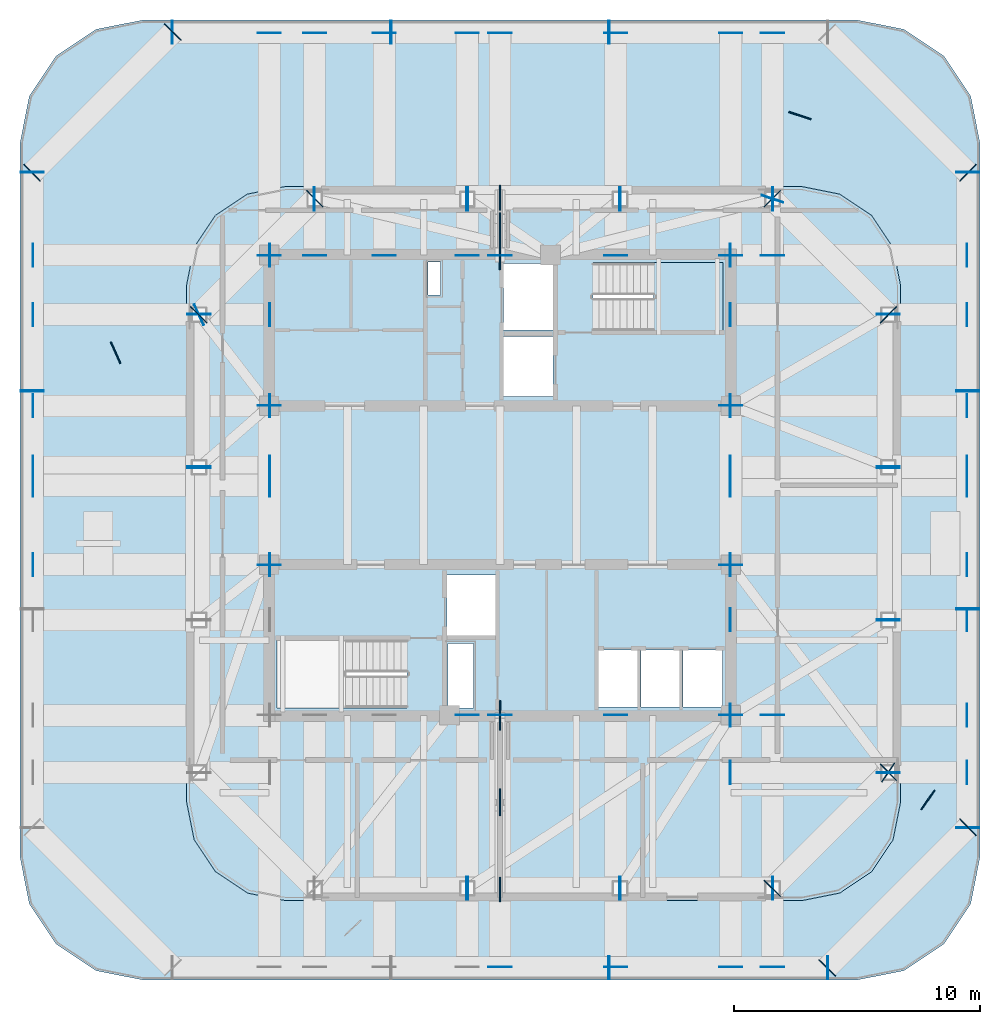
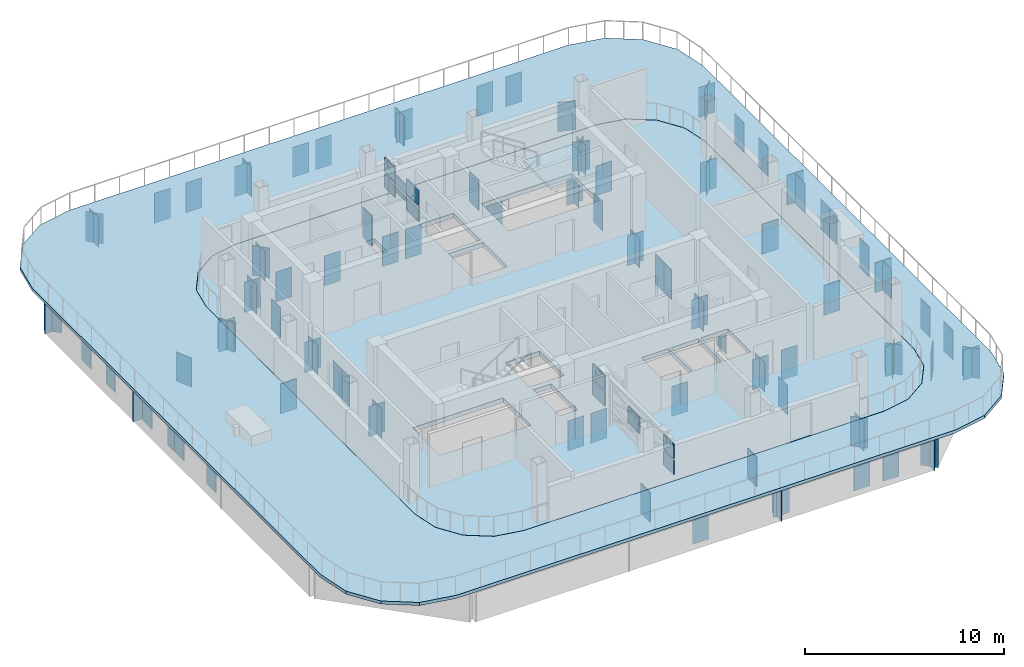
# One storey, part 3 of 10: 123 plates, 3 slabs, 1 element without a shape of its own.
"""IFC4 building model written with IfcOpenShell, lengths in metres."""

from ifc_helpers import new_model, si_unit, direction, frame, origin, origin_2d, place, context, subcontext, project, spatial, polyline, rectangle, outline, extrude, material, layer, layer_set, type_object, element, aggregate, save


model = new_model("IFC4")

# Units and contexts
model_context = context("Model", 3, precision=1e-05, world=origin(), true_north=direction((0.0, 1.0)))
body_context = subcontext(model_context, "Body", "Model", "MODEL_VIEW")
ifc_project = project(units=[si_unit("LENGTHUNIT", "METRE"), si_unit("AREAUNIT", "SQUARE_METRE"), si_unit("VOLUMEUNIT", "CUBIC_METRE"), si_unit("PLANEANGLEUNIT", "RADIAN"), si_unit("MASSUNIT", "GRAM", prefix="KILO")], contexts=[model_context])

# Site, building, storey
site_placement = place(None, origin())
site = spatial("IfcSite", under=ifc_project, at=site_placement, CompositionType="ELEMENT")
building_placement = place(site_placement, origin())
building = spatial("IfcBuilding", under=site, at=building_placement, Name="Qhalaya Broadcast Tower", CompositionType="ELEMENT")
storey_placement = place(building_placement, frame((0.0, 0.0, 231.300048828125)))
storey = spatial("IfcBuildingStorey", under=building, at=storey_placement, Name="L68", CompositionType="ELEMENT", Elevation=231.300048828125)

# Plates
ifc_material_1 = material(Name="Structural Steel ASTM A572 Grade 50", Category="steel")
ifc_layer_1 = layer(ifc_material_1, 0.4599609375, Name="Structural Steel ASTM A572 Grade 50")
ifc_layer_set_1 = layer_set([ifc_layer_1], Name="Structural Steel ASTM A572 Grade 50")
plate_type_1 = type_object("IfcPlateType", Name="Hollow Box Member End Cap Plate CP-01", PredefinedType="USERDEFINED", material=ifc_layer_set_1)
for number, where, z_axis, x_axis, name in (
    (1, (-1.31396484375, -15.77001953125, -2.10009765625), (0.0, 0.0, 1.0), (0.0, 1.0, 0.0), "L68 Hollow Girder End Cap L68-SPR-01-B"),
    (2, (-1.345947265625, -15.77001953125, -2.10009765625), (0.0, 0.0, 1.0), (0.0, 1.0, 0.0), "L68 Hollow Girder End Cap L68-SPR-02-A"),
    (3, (4.885986328125, -15.77001953125, -2.10009765625), (0.0, 0.0, 1.0), (0.0, 1.0, 0.0), "L68 Hollow Girder End Cap L68-SPR-02-B"),
    (4, (4.85400390625, -15.77001953125, -2.10009765625), (0.0, 0.0, 1.0), (0.0, 1.0, 0.0), "L68 Hollow Girder End Cap L68-SPR-03-A"),
    (5, (11.0859375, -15.77001953125, -2.10009765625), (0.0, 0.0, 1.0), (0.0, 1.0, 0.0), "L68 Hollow Girder End Cap L68-SPR-03-B"),
    (6, (11.05859375, -15.78125, -2.10009765625), (0.0, 0.0, 1.0), (-0.707106781187, 0.707106781187, 0.0), "L68 Hollow Girder End Cap L68-SPR-04-A"),
    (7, (15.78125, -11.05859375, -2.10009765625), (0.0, 0.0, 1.0), (-0.707106781187, 0.707106781187, 0.0), "L68 Hollow Girder End Cap L68-SPR-04-B"),
    (8, (15.77001953125, -11.0859375, -2.10009765625), (0.0, 0.0, 1.0), (-1.0, 0.0, 0.0), "L68 Hollow Girder End Cap L68-SPR-05-A"),
    (9, (15.77001953125, -4.85400390625, -2.10009765625), (0.0, 0.0, 1.0), (-1.0, 0.0, 0.0), "L68 Hollow Girder End Cap L68-SPR-05-B"),
    (10, (15.77001953125, -4.885986328125, -2.10009765625), (0.0, 0.0, 1.0), (-1.0, 0.0, 0.0), "L68 Hollow Girder End Cap L68-SPR-06-A"),
    (11, (15.77001953125, 1.345947265625, -2.10009765625), (0.0, 0.0, 1.0), (-1.0, 0.0, 0.0), "L68 Hollow Girder End Cap L68-SPR-06-B"),
    (12, (15.77001953125, 1.31396484375, -2.10009765625), (0.0, 0.0, 1.0), (-1.0, 0.0, 0.0), "L68 Hollow Girder End Cap L68-SPR-07-A"),
    (13, (15.77001953125, 7.5458984375, -2.10009765625), (0.0, 0.0, 1.0), (-1.0, 0.0, 0.0), "L68 Hollow Girder End Cap L68-SPR-07-B"),
    (14, (15.78125, 7.518798828125, -2.10009765625), (0.0, 0.0, 1.0), (-0.707106781187, -0.707106781187, 0.0), "L68 Hollow Girder End Cap L68-SPR-08-A"),
    (15, (11.05859375, 12.2412109375, -2.10009765625), (0.0, 0.0, 1.0), (-0.707106781187, -0.707106781187, 0.0), "L68 Hollow Girder End Cap L68-SPR-08-B"),
    (16, (11.0859375, 12.22998046875, -2.10009765625), (0.0, 0.0, 1.0), (0.0, -1.0, 0.0), "L68 Hollow Girder End Cap L68-SPR-09-A"),
    (17, (4.85400390625, 12.22998046875, -2.10009765625), (0.0, 0.0, 1.0), (0.0, -1.0, 0.0), "L68 Hollow Girder End Cap L68-SPR-09-B"),
    (18, (4.885986328125, 12.22998046875, -2.10009765625), (0.0, 0.0, 1.0), (0.0, -1.0, 0.0), "L68 Hollow Girder End Cap L68-SPR-10-A"),
    (19, (-1.345947265625, 12.22998046875, -2.10009765625), (0.0, 0.0, 1.0), (0.0, -1.0, 0.0), "L68 Hollow Girder End Cap L68-SPR-10-B"),
    (20, (-1.31396484375, 12.22998046875, -2.10009765625), (0.0, 0.0, 1.0), (0.0, -1.0, 0.0), "L68 Hollow Girder End Cap L68-SPR-11-A"),
    (21, (-7.5458984375, 12.22998046875, -2.10009765625), (0.0, 0.0, 1.0), (0.0, -1.0, 0.0), "L68 Hollow Girder End Cap L68-SPR-11-B"),
    (22, (-7.518798828125, 12.2412109375, -2.10009765625), (0.0, 0.0, 1.0), (0.707106781187, -0.707106781187, 0.0), "L68 Hollow Girder End Cap L68-SPR-12-A"),
    (23, (-12.2412109375, 7.518798828125, -2.10009765625), (0.0, 0.0, 1.0), (0.707106781187, -0.707106781187, 0.0), "L68 Hollow Girder End Cap L68-SPR-12-B"),
    (24, (-12.22998046875, 7.5458984375, -2.10009765625), (0.0, 0.0, 1.0), (1.0, 0.0, 0.0), "L68 Hollow Girder End Cap L68-SPR-13-A"),
    (25, (-12.22998046875, 1.31396484375, -2.10009765625), (0.0, 0.0, 1.0), (1.0, 0.0, 0.0), "L68 Hollow Girder End Cap L68-SPR-13-B"),
    (26, (-12.22998046875, 1.345947265625, -2.10009765625), (0.0, 0.0, 1.0), (1.0, 0.0, 0.0), "L68 Hollow Girder End Cap L68-SPR-14-A"),
    (27, (4.44921875, -19.0, -2.10009765625), (0.0, 0.0, 1.0), (0.0, 1.0, 0.0), "L68 Hollow Girder End Cap L68-TGL-02-B"),
    (28, (4.417236328125, -19.0, -2.10009765625), (0.0, 0.0, 1.0), (0.0, 1.0, 0.0), "L68 Hollow Girder End Cap L68-TGL-03-A"),
    (29, (13.31591796875, -19.0, -2.10009765625), (0.0, 0.0, 1.0), (0.0, 1.0, 0.0), "L68 Hollow Girder End Cap L68-TGL-03-B"),
    (30, (13.288818359375, -19.01123046875, -2.10009765625), (0.0, 0.0, 1.0), (-0.707106781187, 0.707106781187, 0.0), "L68 Hollow Girder End Cap L68-TGL-04-A"),
    (31, (19.01123046875, -13.288818359375, -2.10009765625), (0.0, 0.0, 1.0), (-0.707106781187, 0.707106781187, 0.0), "L68 Hollow Girder End Cap L68-TGL-04-B"),
    (32, (19.0, -13.31591796875, -2.10009765625), (0.0, 0.0, 1.0), (-1.0, 0.0, 0.0), "L68 Hollow Girder End Cap L68-TGL-05-A"),
    (33, (19.0, -4.417236328125, -2.10009765625), (0.0, 0.0, 1.0), (-1.0, 0.0, 0.0), "L68 Hollow Girder End Cap L68-TGL-05-B"),
    (34, (19.0, -4.44921875, -2.10009765625), (0.0, 0.0, 1.0), (-1.0, 0.0, 0.0), "L68 Hollow Girder End Cap L68-TGL-06-A"),
    (35, (19.0, 4.44921875, -2.10009765625), (0.0, 0.0, 1.0), (-1.0, 0.0, 0.0), "L68 Hollow Girder End Cap L68-TGL-06-B"),
    (36, (19.0, 4.417236328125, -2.10009765625), (0.0, 0.0, 1.0), (-1.0, 0.0, 0.0), "L68 Hollow Girder End Cap L68-TGL-07-A"),
    (37, (19.0, 13.31591796875, -2.10009765625), (0.0, 0.0, 1.0), (-1.0, 0.0, 0.0), "L68 Hollow Girder End Cap L68-TGL-07-B"),
    (38, (19.01123046875, 13.288818359375, -2.10009765625), (0.0, 0.0, 1.0), (-0.707106781187, -0.707106781187, 0.0), "L68 Hollow Girder End Cap L68-TGL-08-A"),
    (39, (4.417236328125, 19.0, -2.10009765625), (0.0, 0.0, 1.0), (0.0, -1.0, 0.0), "L68 Hollow Girder End Cap L68-TGL-09-B"),
    (40, (4.44921875, 19.0, -2.10009765625), (0.0, 0.0, 1.0), (0.0, -1.0, 0.0), "L68 Hollow Girder End Cap L68-TGL-10-A"),
    (41, (-4.44921875, 19.0, -2.10009765625), (0.0, 0.0, 1.0), (0.0, -1.0, 0.0), "L68 Hollow Girder End Cap L68-TGL-10-B"),
    (42, (-4.417236328125, 19.0, -2.10009765625), (0.0, 0.0, 1.0), (0.0, -1.0, 0.0), "L68 Hollow Girder End Cap L68-TGL-11-A"),
    (43, (-13.31591796875, 19.0, -2.10009765625), (0.0, 0.0, 1.0), (0.0, -1.0, 0.0), "L68 Hollow Girder End Cap L68-TGL-11-B"),
    (44, (-13.288818359375, 19.01123046875, -2.10009765625), (0.0, 0.0, 1.0), (0.707106781187, -0.707106781187, 0.0), "L68 Hollow Girder End Cap L68-TGL-12-A"),
    (45, (-19.01123046875, 13.288818359375, -2.10009765625), (0.0, 0.0, 1.0), (0.707106781187, -0.707106781187, 0.0), "L68 Hollow Girder End Cap L68-TGL-12-B"),
    (46, (-19.0, 13.31591796875, -2.10009765625), (0.0, 0.0, 1.0), (1.0, 0.0, 0.0), "L68 Hollow Girder End Cap L68-TGL-13-A"),
    (47, (-19.0, 4.417236328125, -2.10009765625), (0.0, 0.0, 1.0), (1.0, 0.0, 0.0), "L68 Hollow Girder End Cap L68-TGL-13-B"),
    (48, (-19.0, 4.44921875, -2.10009765625), (0.0, 0.0, 1.0), (1.0, 0.0, 0.0), "L68 Hollow Girder End Cap L68-TGL-14-A"),
    (49, (-9.375, 9.93408203125, -2.10009765625), (0.0, 0.0, 1.0), (-1.0, 0.0, 0.0), "L68 Hollow Girder End Cap L68-TGINW-1-A"),
    (50, (-9.375, 18.97607421875, -2.10009765625), (0.0, 0.0, 1.0), (-1.0, 0.0, 0.0), "L68 Hollow Girder End Cap L68-TGINW-1-B"),
    (51, (9.375, 9.93408203125, -2.10009765625), (0.0, 0.0, 1.0), (-1.0, 0.0, 0.0), "L68 Hollow Girder End Cap L68-TGINE-1-A"),
    (52, (9.375, 18.97607421875, -2.10009765625), (0.0, 0.0, 1.0), (-1.0, 0.0, 0.0), "L68 Hollow Girder End Cap L68-TGINE-1-B"),
    (53, (0.0, 9.93408203125, -2.10009765625), (0.0, 0.0, 1.0), (-1.0, 0.0, 0.0), "L68 Hollow Girder End Cap L68-TGIMN-1-A"),
    (54, (0.0, 18.97607421875, -2.10009765625), (0.0, 0.0, 1.0), (-1.0, 0.0, 0.0), "L68 Hollow Girder End Cap L68-TGIMN-1-B"),
    (55, (0.0, -18.97607421875, -2.10009765625), (0.0, 0.0, 1.0), (-1.0, 0.0, 0.0), "L68 Hollow Girder End Cap L68-TGIMS-1-A"),
    (56, (0.0, -8.73388671875, -2.10009765625), (0.0, 0.0, 1.0), (-1.0, 0.0, 0.0), "L68 Hollow Girder End Cap L68-TGIMS-1-B"),
    (57, (-4.699951171875, 9.93408203125, -2.10009765625), (0.0, 0.0, 1.0), (-1.0, 0.0, 0.0), "L68 Hollow Girder End Cap L68-TGIMNW-1-A"),
    (58, (-4.699951171875, 18.97607421875, -2.10009765625), (0.0, 0.0, 1.0), (-1.0, 0.0, 0.0), "L68 Hollow Girder End Cap L68-TGIMNW-1-B"),
    (59, (4.699951171875, 9.93408203125, -2.10009765625), (0.0, 0.0, 1.0), (-1.0, 0.0, 0.0), "L68 Hollow Girder End Cap L68-TGIMNE-1-A"),
    (60, (4.699951171875, 18.97607421875, -2.10009765625), (0.0, 0.0, 1.0), (-1.0, 0.0, 0.0), "L68 Hollow Girder End Cap L68-TGIMNE-1-B"),
    (61, (4.699951171875, -18.97607421875, -2.10009765625), (0.0, 0.0, 1.0), (-1.0, 0.0, 0.0), "L68 Hollow Girder End Cap L68-TGIMSE-1-A"),
    (62, (4.699951171875, -8.73388671875, -2.10009765625), (0.0, 0.0, 1.0), (-1.0, 0.0, 0.0), "L68 Hollow Girder End Cap L68-TGIMSE-1-B"),
    (63, (-18.97607421875, 0.60009765625, -2.10009765625), (0.0, 0.0, 1.0), (0.0, 1.0, 0.0), "L68 Hollow Girder End Cap L68-TGIYW-1-A"),
    (64, (-9.35888671875, 0.60009765625, -2.10009765625), (0.0, 0.0, 1.0), (0.0, 1.0, 0.0), "L68 Hollow Girder End Cap L68-TGIYW-1-B"),
    (65, (9.35888671875, 0.60009765625, -2.10009765625), (0.0, 0.0, 1.0), (0.0, 1.0, 0.0), "L68 Hollow Girder End Cap L68-TGIYE-1-A"),
    (66, (18.97607421875, 0.60009765625, -2.10009765625), (0.0, 0.0, 1.0), (0.0, 1.0, 0.0), "L68 Hollow Girder End Cap L68-TGIYE-1-B"),
    (67, (9.375, -18.97607421875, -2.10009765625), (0.0, 0.0, 1.0), (-1.0, 0.0, 0.0), "L68 Hollow Girder End Cap L68-TGISE-1-A"),
    (68, (9.375, -8.73388671875, -2.10009765625), (0.0, 0.0, 1.0), (-1.0, 0.0, 0.0), "L68 Hollow Girder End Cap L68-TGISE-1-B"),
    (69, (-9.375, -2.64111328125, -2.10009765625), (0.0, 0.0, 1.0), (-1.0, 0.0, 0.0), "L68 Hollow Girder End Cap L68-TGIMW-1-A"),
    (70, (-9.375, 3.841064453125, -2.10009765625), (0.0, 0.0, 1.0), (-1.0, 0.0, 0.0), "L68 Hollow Girder End Cap L68-TGIMW-1-B"),
    (71, (9.375, -2.64111328125, -2.10009765625), (0.0, 0.0, 1.0), (-1.0, 0.0, 0.0), "L68 Hollow Girder End Cap L68-TGIME-1-A"),
    (72, (9.375, 3.841064453125, -2.10009765625), (0.0, 0.0, 1.0), (-1.0, 0.0, 0.0), "L68 Hollow Girder End Cap L68-TGIME-1-B"),
    (73, (9.35888671875, -8.75, -2.10009765625), (0.0, 0.0, 1.0), (0.0, 1.0, 0.0), "L68 Hollow Girder End Cap L68-TGIY1E-1-A"),
    (74, (18.97607421875, -8.75, -2.10009765625), (0.0, 0.0, 1.0), (0.0, 1.0, 0.0), "L68 Hollow Girder End Cap L68-TGIY1E-1-B"),
    (75, (-18.97607421875, -2.625, -2.10009765625), (0.0, 0.0, 1.0), (0.0, 1.0, 0.0), "L68 Hollow Girder End Cap L68-TGIY2W-1-A"),
    (76, (-9.35888671875, -2.625, -2.10009765625), (0.0, 0.0, 1.0), (0.0, 1.0, 0.0), "L68 Hollow Girder End Cap L68-TGIY2W-1-B"),
    (77, (9.35888671875, -2.625, -2.10009765625), (0.0, 0.0, 1.0), (0.0, 1.0, 0.0), "L68 Hollow Girder End Cap L68-TGIY2E-1-A"),
    (78, (18.97607421875, -2.625, -2.10009765625), (0.0, 0.0, 1.0), (0.0, 1.0, 0.0), "L68 Hollow Girder End Cap L68-TGIY2E-1-B"),
    (79, (-18.97607421875, 3.824951171875, -2.10009765625), (0.0, 0.0, 1.0), (0.0, 1.0, 0.0), "L68 Hollow Girder End Cap L68-TGIY3W-1-A"),
    (80, (-9.35888671875, 3.824951171875, -2.10009765625), (0.0, 0.0, 1.0), (0.0, 1.0, 0.0), "L68 Hollow Girder End Cap L68-TGIY3W-1-B"),
    (81, (9.35888671875, 3.824951171875, -2.10009765625), (0.0, 0.0, 1.0), (0.0, 1.0, 0.0), "L68 Hollow Girder End Cap L68-TGIY3E-1-A"),
    (82, (18.97607421875, 3.824951171875, -2.10009765625), (0.0, 0.0, 1.0), (0.0, 1.0, 0.0), "L68 Hollow Girder End Cap L68-TGIY3E-1-B"),
    (83, (-18.97607421875, 9.949951171875, -2.10009765625), (0.0, 0.0, 1.0), (0.0, 1.0, 0.0), "L68 Hollow Girder End Cap L68-TGIY4W-1-A"),
    (84, (-9.35888671875, 9.949951171875, -2.10009765625), (0.0, 0.0, 1.0), (0.0, 1.0, 0.0), "L68 Hollow Girder End Cap L68-TGIY4W-1-B"),
    (85, (9.35888671875, 9.949951171875, -2.10009765625), (0.0, 0.0, 1.0), (0.0, 1.0, 0.0), "L68 Hollow Girder End Cap L68-TGIY4E-1-A"),
    (86, (18.97607421875, 9.949951171875, -2.10009765625), (0.0, 0.0, 1.0), (0.0, 1.0, 0.0), "L68 Hollow Girder End Cap L68-TGIY4E-1-B"),
    (87, (-1.330078125, -8.73388671875, -2.10009765625), (0.0, 0.0, 1.0), (-1.0, 0.0, 0.0), "L68 Hollow Girder End Cap L68-TGC-02-B"),
    (88, (11.070068359375, -18.97607421875, -2.10009765625), (0.0, 0.0, 1.0), (-1.0, 0.0, 0.0), "L68 Hollow Girder End Cap L68-TGC-04-A"),
    (89, (11.070068359375, -8.73388671875, -2.10009765625), (0.0, 0.0, 1.0), (-1.0, 0.0, 0.0), "L68 Hollow Girder End Cap L68-TGC-04-B"),
    (90, (9.35888671875, -11.070068359375, -2.10009765625), (0.0, 0.0, 1.0), (0.0, 1.0, 0.0), "L68 Hollow Girder End Cap L68-TGC-05-A"),
    (91, (18.97607421875, -11.070068359375, -2.10009765625), (0.0, 0.0, 1.0), (0.0, 1.0, 0.0), "L68 Hollow Girder End Cap L68-TGC-05-B"),
):
    element("IfcPlate", number, at=place(storey_placement, frame(where, z_axis=z_axis, x_axis=x_axis)), inside=storey, type_object=plate_type_1, Name=name, ObjectType="COVER_PLATE", PredefinedType="USERDEFINED", context=body_context, shape_type="SweptSolid", body=[
        extrude(rectangle(XDim=0.93994140625, YDim=0.031982421875, at=origin_2d()), origin(), (0.0, 0.0, 1.0), 1.840087890625),
    ])
plate_1_placement = place(storey_placement, frame((15.77001953125, -11.070068359375, -2.080078125), z_axis=(0.0, 0.0, 1.0), x_axis=(-0.568145402142, -0.822928187648, 0.0)))
element("IfcPlate", 92, at=plate_1_placement, inside=storey, type_object=plate_type_1, Name="L68 Transfer Box End Cap 05", ObjectType="COVER_PLATE", PredefinedType="USERDEFINED", context=body_context, shape_type="SweptSolid", body=[
    extrude(rectangle(XDim=0.919921875, YDim=0.035888671875, at=origin_2d()), origin(), (0.0, 0.0, 1.0), 1.800048828125),
])
for number, where, z_axis, x_axis, name in (
    (93, (9.35888671875, -4.8701171875, -2.10009765625), (0.0, 0.0, 1.0), (0.0, 1.0, 0.0), "L68 Hollow Girder End Cap L68-TGC-06-A"),
    (94, (18.97607421875, -4.8701171875, -2.10009765625), (0.0, 0.0, 1.0), (0.0, 1.0, 0.0), "L68 Hollow Girder End Cap L68-TGC-06-B"),
    (95, (9.35888671875, 1.330078125, -2.10009765625), (0.0, 0.0, 1.0), (0.0, 1.0, 0.0), "L68 Hollow Girder End Cap L68-TGC-07-A"),
    (96, (18.97607421875, 1.330078125, -2.10009765625), (0.0, 0.0, 1.0), (0.0, 1.0, 0.0), "L68 Hollow Girder End Cap L68-TGC-07-B"),
    (97, (9.35888671875, 7.530029296875, -2.10009765625), (0.0, 0.0, 1.0), (0.0, 1.0, 0.0), "L68 Hollow Girder End Cap L68-TGC-08-A"),
    (98, (18.97607421875, 7.530029296875, -2.10009765625), (0.0, 0.0, 1.0), (0.0, 1.0, 0.0), "L68 Hollow Girder End Cap L68-TGC-08-B"),
    (99, (11.070068359375, 9.93408203125, -2.10009765625), (0.0, 0.0, 1.0), (-1.0, 0.0, 0.0), "L68 Hollow Girder End Cap L68-TGC-09-A"),
    (100, (11.070068359375, 18.97607421875, -2.10009765625), (0.0, 0.0, 1.0), (-1.0, 0.0, 0.0), "L68 Hollow Girder End Cap L68-TGC-09-B"),
):
    element("IfcPlate", number, at=place(storey_placement, frame(where, z_axis=z_axis, x_axis=x_axis)), inside=storey, type_object=plate_type_1, Name=name, ObjectType="COVER_PLATE", PredefinedType="USERDEFINED", context=body_context, shape_type="SweptSolid", body=[
        extrude(rectangle(XDim=0.93994140625, YDim=0.031982421875, at=origin_2d()), origin(), (0.0, 0.0, 1.0), 1.840087890625),
    ])
plate_2_placement = place(storey_placement, frame((11.070068359375, 12.22998046875, -2.080078125), z_axis=(0.0, 0.0, 1.0), x_axis=(0.949797462646, -0.312865434255, 0.0)))
element("IfcPlate", 101, at=plate_2_placement, inside=storey, type_object=plate_type_1, Name="L68 Transfer Box End Cap 09", ObjectType="COVER_PLATE", PredefinedType="USERDEFINED", context=body_context, shape_type="SweptSolid", body=[
    extrude(rectangle(XDim=0.919921875, YDim=0.035888671875, at=origin_2d()), origin(), (0.0, 0.0, 1.0), 1.800048828125),
])
for number, where, z_axis, x_axis, name in (
    (102, (-1.330078125, 9.93408203125, -2.10009765625), (0.0, 0.0, 1.0), (-1.0, 0.0, 0.0), "L68 Hollow Girder End Cap L68-TGC-11-A"),
    (103, (-1.330078125, 18.97607421875, -2.10009765625), (0.0, 0.0, 1.0), (-1.0, 0.0, 0.0), "L68 Hollow Girder End Cap L68-TGC-11-B"),
    (104, (-7.530029296875, 9.93408203125, -2.10009765625), (0.0, 0.0, 1.0), (-1.0, 0.0, 0.0), "L68 Hollow Girder End Cap L68-TGC-12-A"),
    (105, (-7.530029296875, 18.97607421875, -2.10009765625), (0.0, 0.0, 1.0), (-1.0, 0.0, 0.0), "L68 Hollow Girder End Cap L68-TGC-12-B"),
    (106, (-18.97607421875, 7.530029296875, -2.10009765625), (0.0, 0.0, 1.0), (0.0, 1.0, 0.0), "L68 Hollow Girder End Cap L68-TGC-13-A"),
    (107, (-9.35888671875, 7.530029296875, -2.10009765625), (0.0, 0.0, 1.0), (0.0, 1.0, 0.0), "L68 Hollow Girder End Cap L68-TGC-13-B"),
):
    element("IfcPlate", number, at=place(storey_placement, frame(where, z_axis=z_axis, x_axis=x_axis)), inside=storey, type_object=plate_type_1, Name=name, ObjectType="COVER_PLATE", PredefinedType="USERDEFINED", context=body_context, shape_type="SweptSolid", body=[
        extrude(rectangle(XDim=0.93994140625, YDim=0.031982421875, at=origin_2d()), origin(), (0.0, 0.0, 1.0), 1.840087890625),
    ])
plate_3_placement = place(storey_placement, frame((-12.22998046875, 7.530029296875, -2.080078125), z_axis=(0.0, 0.0, 1.0), x_axis=(-0.41596338363, 0.909381363059, 0.0)))
element("IfcPlate", 108, at=plate_3_placement, inside=storey, type_object=plate_type_1, Name="L68 Transfer Box End Cap 13", ObjectType="COVER_PLATE", PredefinedType="USERDEFINED", context=body_context, shape_type="SweptSolid", body=[
    extrude(rectangle(XDim=0.919921875, YDim=0.035888671875, at=origin_2d()), origin(), (0.0, 0.0, 1.0), 1.800048828125),
])
for number, where, z_axis, x_axis, name in (
    (109, (-18.97607421875, 1.330078125, -2.10009765625), (0.0, 0.0, 1.0), (0.0, 1.0, 0.0), "L68 Hollow Girder End Cap L68-TGC-14-A"),
    (110, (-9.35888671875, 1.330078125, -2.10009765625), (0.0, 0.0, 1.0), (0.0, 1.0, 0.0), "L68 Hollow Girder End Cap L68-TGC-14-B"),
):
    element("IfcPlate", number, at=place(storey_placement, frame(where, z_axis=z_axis, x_axis=x_axis)), inside=storey, type_object=plate_type_1, Name=name, ObjectType="COVER_PLATE", PredefinedType="USERDEFINED", context=body_context, shape_type="SweptSolid", body=[
        extrude(rectangle(XDim=0.93994140625, YDim=0.031982421875, at=origin_2d()), origin(), (0.0, 0.0, 1.0), 1.840087890625),
    ])
ifc_layer_2 = layer(ifc_material_1, 0.06005859375, Name="Structural Steel ASTM A572 Grade 50")
ifc_layer_set_2 = layer_set([ifc_layer_2], Name="Structural Steel ASTM A572 Grade 50")
plate_type_2 = type_object("IfcPlateType", Name="Outrigger Core Embed Gusset Plate NP-02", PredefinedType="USERDEFINED", material=ifc_layer_set_2)
for number, where, z_axis, x_axis, name in (
    (111, (0.0, 9.949951171875, 0.39990234375), (0.0, 0.0, 1.0), (0.0, 1.0, 0.0), "L68 Outrigger Gusset Node NC-C0"),
    (112, (0.0, 9.949951171875, 1.389892578125), (0.0, 0.0, 1.0), (0.0, 1.0, 0.0), "L68 Outrigger Gusset Node NC-C1"),
):
    element("IfcPlate", number, at=place(storey_placement, frame(where, z_axis=z_axis, x_axis=x_axis)), inside=storey, type_object=plate_type_2, Name=name, ObjectType="GUSSET_PLATE", PredefinedType="USERDEFINED", context=body_context, shape_type="SweptSolid", body=[
        extrude(rectangle(XDim=1.199951171875, YDim=0.06005859375, at=origin_2d()), origin(), (0.0, 0.0, 1.0), 0.89990234375),
    ])
plate_4_placement = place(storey_placement, frame((0.0, 11.114990234375, 0.844970703125), z_axis=(0.0, 0.0, 1.0), x_axis=(0.0, 1.0, 0.0)))
element("IfcPlate", 113, at=plate_4_placement, inside=storey, type_object=plate_type_2, Name="L68 Outrigger Gusset Node NC-XM", ObjectType="GUSSET_PLATE", PredefinedType="USERDEFINED", context=body_context, shape_type="SweptSolid", body=[
    extrude(rectangle(XDim=1.10009765625, YDim=0.06005859375, at=origin_2d()), origin(), (0.0, 0.0, 1.0), 1.0),
])
for number, where, z_axis, x_axis, name in (
    (114, (0.0, 12.280029296875, 0.4248046875), (0.0, 0.0, 1.0), (0.0, 1.0, 0.0), "L68 Outrigger Gusset Node NC-P0"),
    (115, (0.0, 12.280029296875, 1.414794921875), (0.0, 0.0, 1.0), (0.0, 1.0, 0.0), "L68 Outrigger Gusset Node NC-P1"),
):
    element("IfcPlate", number, at=place(storey_placement, frame(where, z_axis=z_axis, x_axis=x_axis)), inside=storey, type_object=plate_type_2, Name=name, ObjectType="GUSSET_PLATE", PredefinedType="USERDEFINED", context=body_context, shape_type="SweptSolid", body=[
        extrude(rectangle(XDim=1.0, YDim=0.06005859375, at=origin_2d()), origin(), (0.0, 0.0, 1.0), 0.85009765625),
    ])
for number, where, z_axis, x_axis, name in (
    (116, (0.0, -8.75, 0.39990234375), (0.0, 0.0, 1.0), (0.0, -1.0, 0.0), "L68 Outrigger Gusset Node SC-C0"),
    (117, (0.0, -8.75, 1.389892578125), (0.0, 0.0, 1.0), (0.0, -1.0, 0.0), "L68 Outrigger Gusset Node SC-C1"),
):
    element("IfcPlate", number, at=place(storey_placement, frame(where, z_axis=z_axis, x_axis=x_axis)), inside=storey, type_object=plate_type_2, Name=name, ObjectType="GUSSET_PLATE", PredefinedType="USERDEFINED", context=body_context, shape_type="SweptSolid", body=[
        extrude(rectangle(XDim=1.199951171875, YDim=0.06005859375, at=origin_2d()), origin(), (0.0, 0.0, 1.0), 0.89990234375),
    ])
plate_5_placement = place(storey_placement, frame((0.0, -12.284912109375, 0.844970703125), z_axis=(0.0, 0.0, 1.0), x_axis=(0.0, -1.0, 0.0)))
element("IfcPlate", 118, at=plate_5_placement, inside=storey, type_object=plate_type_2, Name="L68 Outrigger Gusset Node SC-XM", ObjectType="GUSSET_PLATE", PredefinedType="USERDEFINED", context=body_context, shape_type="SweptSolid", body=[
    extrude(rectangle(XDim=1.10009765625, YDim=0.06005859375, at=origin_2d()), origin(), (0.0, 0.0, 1.0), 1.0),
])
for number, where, z_axis, x_axis, name in (
    (119, (0.0, -15.820068359375, 0.4248046875), (0.0, 0.0, 1.0), (0.0, -1.0, 0.0), "L68 Outrigger Gusset Node SC-P0"),
    (120, (0.0, -15.820068359375, 1.414794921875), (0.0, 0.0, 1.0), (0.0, -1.0, 0.0), "L68 Outrigger Gusset Node SC-P1"),
):
    element("IfcPlate", number, at=place(storey_placement, frame(where, z_axis=z_axis, x_axis=x_axis)), inside=storey, type_object=plate_type_2, Name=name, ObjectType="GUSSET_PLATE", PredefinedType="USERDEFINED", context=body_context, shape_type="SweptSolid", body=[
        extrude(rectangle(XDim=1.0, YDim=0.06005859375, at=origin_2d()), origin(), (0.0, 0.0, 1.0), 0.85009765625),
    ])

# Slabs
ifc_material_2 = material(Name="Concrete C40/50", Category="concrete")
ifc_layer_3 = layer(ifc_material_2, 0.280029296875, Name="Concrete C40/50")
ifc_layer_set_3 = layer_set([ifc_layer_3], Name="Concrete C40/50")
slab_type_1 = type_object("IfcSlabType", Name="Plant & Refuge Heavy Duty Floor Slab 280", PredefinedType="FLOOR", material=ifc_layer_set_3)
slab_1_placement = place(storey_placement, frame((0.0, 0.0, -0.280029296875)))
element("IfcSlab", 121, at=slab_1_placement, inside=storey, type_object=slab_type_1, Name="L68 Main Structural Floor Slab", PredefinedType="FLOOR", context=body_context, shape_type="SweptSolid", body=[
    extrude(outline(polyline([(12.27001953125, -16.27001953125), (13.80078125, -15.965576171875), (15.098388671875, -15.098388671875), (15.965576171875, -13.80078125), (16.27001953125, -12.27001953125), (16.27001953125, 8.72998046875), (15.965576171875, 10.2607421875), (15.098388671875, 11.558349609375), (13.80078125, 12.425537109375), (12.27001953125, 12.72998046875), (-8.72998046875, 12.72998046875), (-10.2607421875, 12.425537109375), (-11.558349609375, 11.558349609375), (-12.425537109375, 10.2607421875), (-12.72998046875, 8.72998046875), (-12.72998046875, -12.27001953125), (-12.425537109375, -13.80078125), (-11.558349609375, -15.098388671875), (-10.2607421875, -15.965576171875), (-8.72998046875, -16.27001953125), (12.27001953125, -16.27001953125)]), holes=[polyline([(3.784912109375, 9.639892578125), (9.050048828125, 9.639892578125), (9.050048828125, 6.8798828125), (3.784912109375, 6.8798828125), (3.784912109375, 9.639892578125)]), polyline([(-3.784912109375, -8.43994140625), (-9.050048828125, -8.43994140625), (-9.050048828125, -5.679931640625), (-3.784912109375, -5.679931640625), (-3.784912109375, -8.43994140625)]), polyline([(0.14990234375, 6.64990234375), (2.14990234375, 6.64990234375), (2.14990234375, 4.199951171875), (0.14990234375, 4.199951171875), (0.14990234375, 6.64990234375)]), polyline([(0.14990234375, 9.60009765625), (2.14990234375, 9.60009765625), (2.14990234375, 6.89990234375), (0.14990234375, 6.89990234375), (0.14990234375, 9.60009765625)]), polyline([(-2.14990234375, -3.050048828125), (-0.14990234375, -3.050048828125), (-0.14990234375, -5.5), (-2.14990234375, -5.5), (-2.14990234375, -3.050048828125)]), polyline([(4.0, -6.10009765625), (5.60009765625, -6.10009765625), (5.60009765625, -8.39990234375), (4.0, -8.39990234375), (4.0, -6.10009765625)]), polyline([(5.719970703125, -6.10009765625), (7.320068359375, -6.10009765625), (7.320068359375, -8.39990234375), (5.719970703125, -8.39990234375), (5.719970703125, -6.10009765625)]), polyline([(7.43994140625, -6.10009765625), (9.0400390625, -6.10009765625), (9.0400390625, -8.39990234375), (7.43994140625, -8.39990234375), (7.43994140625, -6.10009765625)]), polyline([(-2.919921875, 9.659912109375), (-2.419921875, 9.659912109375), (-2.419921875, 8.320068359375), (-2.919921875, 8.320068359375), (-2.919921875, 9.659912109375)]), polyline([(-2.1201171875, -5.820068359375), (-1.080078125, -5.820068359375), (-1.080078125, -8.4599609375), (-2.1201171875, -8.4599609375), (-2.1201171875, -5.820068359375)])]), origin(), (0.0, 0.0, 1.0), 0.280029296875),
])
ifc_layer_4 = layer(ifc_material_2, 0.25, Name="Concrete C40/50")
ifc_layer_set_4 = layer_set([ifc_layer_4], Name="Concrete C40/50")
slab_type_2 = type_object("IfcSlabType", Name="Planted Sky-Garden & Sky-Pool External Terrace Slab 250", PredefinedType="FLOOR", material=ifc_layer_set_4)
slab_2_placement = place(storey_placement, frame((0.0, 0.0, -0.18994140625)))
element("IfcSlab", 122, at=slab_2_placement, inside=storey, type_object=slab_type_2, Name="L68 Planted Sky Garden Terrace 1", PredefinedType="FLOOR", context=body_context, shape_type="SweptSolid", body=[
    extrude(outline(polyline([(14.5, -19.5), (16.413330078125, -19.119384765625), (18.035400390625, -18.035400390625), (19.119384765625, -16.413330078125), (19.5, -14.5), (19.5, 14.5), (19.119384765625, 16.413330078125), (18.035400390625, 18.035400390625), (16.413330078125, 19.119384765625), (14.5, 19.5), (-14.5, 19.5), (-16.413330078125, 19.119384765625), (-18.035400390625, 18.035400390625), (-19.119384765625, 16.413330078125), (-19.5, 14.5), (-19.5, -14.5), (-19.119384765625, -16.413330078125), (-18.035400390625, -18.035400390625), (-16.413330078125, -19.119384765625), (-14.5, -19.5), (14.5, -19.5)]), holes=[polyline([(12.27001953125, -16.27392578125), (-8.72998046875, -16.27392578125), (-8.73046875, -16.27392578125), (-8.730712890625, -16.27392578125), (-10.261474609375, -15.969482421875), (-10.261962890625, -15.96923828125), (-10.26220703125, -15.96923828125), (-10.2626953125, -15.968994140625), (-10.262939453125, -15.96875), (-11.560546875, -15.101806640625), (-11.560791015625, -15.1015625), (-11.561279296875, -15.101318359375), (-11.5615234375, -15.100830078125), (-11.561767578125, -15.1005859375), (-12.4287109375, -13.802978515625), (-12.428955078125, -13.802490234375), (-12.42919921875, -13.80224609375), (-12.42919921875, -13.802001953125), (-12.429443359375, -13.801513671875), (-12.73388671875, -12.270751953125), (-12.73388671875, -12.2705078125), (-12.73388671875, -12.27001953125), (-12.73388671875, 8.72998046875), (-12.73388671875, 8.73046875), (-12.73388671875, 8.730712890625), (-12.429443359375, 10.261474609375), (-12.42919921875, 10.261962890625), (-12.42919921875, 10.26220703125), (-12.428955078125, 10.2626953125), (-12.4287109375, 10.262939453125), (-11.561767578125, 11.560546875), (-11.5615234375, 11.560791015625), (-11.561279296875, 11.561279296875), (-11.560791015625, 11.5615234375), (-11.560546875, 11.561767578125), (-10.262939453125, 12.4287109375), (-10.2626953125, 12.428955078125), (-10.26220703125, 12.42919921875), (-10.261962890625, 12.42919921875), (-10.261474609375, 12.429443359375), (-8.730712890625, 12.73388671875), (-8.73046875, 12.73388671875), (-8.72998046875, 12.73388671875), (12.27001953125, 12.73388671875), (12.2705078125, 12.73388671875), (12.270751953125, 12.73388671875), (13.801513671875, 12.429443359375), (13.802001953125, 12.42919921875), (13.80224609375, 12.42919921875), (13.802490234375, 12.428955078125), (13.802978515625, 12.4287109375), (15.1005859375, 11.561767578125), (15.100830078125, 11.5615234375), (15.101318359375, 11.561279296875), (15.1015625, 11.560791015625), (15.101806640625, 11.560546875), (15.96875, 10.262939453125), (15.968994140625, 10.2626953125), (15.96923828125, 10.26220703125), (15.96923828125, 10.261962890625), (15.969482421875, 10.261474609375), (16.27392578125, 8.730712890625), (16.27392578125, 8.73046875), (16.27392578125, 8.72998046875), (16.27392578125, -12.27001953125), (16.27392578125, -12.2705078125), (16.27392578125, -12.270751953125), (15.969482421875, -13.801513671875), (15.96923828125, -13.802001953125), (15.96923828125, -13.80224609375), (15.968994140625, -13.802490234375), (15.96875, -13.802978515625), (15.101806640625, -15.1005859375), (15.1015625, -15.100830078125), (15.101318359375, -15.101318359375), (15.100830078125, -15.1015625), (15.1005859375, -15.101806640625), (13.802978515625, -15.96875), (13.802490234375, -15.968994140625), (13.80224609375, -15.96923828125), (13.802001953125, -15.96923828125), (13.801513671875, -15.969482421875), (12.270751953125, -16.27392578125), (12.2705078125, -16.27392578125), (12.27001953125, -16.27392578125)])]), origin(), (0.0, 0.0, 1.0), 0.18994140625),
])

# Stair, slab
stair_type = type_object("IfcStairType", Name="Protected Dogleg Core Stair 3600", PredefinedType="TWO_STRAIGHT_RUN_STAIR", material=ifc_material_2)
stair_placement = place(storey_placement, origin())
stair = element("IfcStair", 123, at=stair_placement, inside=storey, type_object=stair_type, Name="L68 North Core Exit Stair ST-1", PredefinedType="TWO_STRAIGHT_RUN_STAIR")
ifc_layer_5 = layer(ifc_material_2, 0.199951171875, Name="Concrete C40/50")
ifc_layer_set_5 = layer_set([ifc_layer_5], Name="Concrete C40/50")
slab_type_3 = type_object("IfcSlabType", Name="Stair & Ramp Half-Landing Slab 200", PredefinedType="LANDING", material=ifc_layer_set_5)
slab_3_placement = place(storey_placement, frame((0.0, 0.0, 1.599853515625)))
slab_3 = element("IfcSlab", 124, at=slab_3_placement, type_object=slab_type_3, Name="ST-1 landing 1", PredefinedType="LANDING", context=body_context, shape_type="SweptSolid", body=[
    extrude(outline(polyline([(6.235107421875, 6.8798828125), (9.050048828125, 6.8798828125), (9.050048828125, 9.639892578125), (6.235107421875, 9.639892578125), (6.235107421875, 6.8798828125)])), origin(), (0.0, 0.0, 1.0), 0.2001953125),
])
aggregate(stair, [slab_3])

# Plates
ifc_layer_6 = layer(ifc_material_1, 0.044921875, Name="Structural Steel ASTM A572 Grade 50")
ifc_layer_set_6 = layer_set([ifc_layer_6], Name="Structural Steel ASTM A572 Grade 50")
plate_type_3 = type_object("IfcPlateType", Name="Transfer Girder Web Stiffener Plate WS-01", PredefinedType="USERDEFINED", material=ifc_layer_set_6)
for number, where, z_axis, x_axis, name in (
    (125, (17.385009765625, -12.18505859375, -2.080078125), (0.0, 0.0, 1.0), (-0.568145402142, -0.822928187648, 0.0), "L68 Transfer Girder Stiffener 05"),
    (126, (12.18505859375, 15.614990234375, -2.080078125), (0.0, 0.0, 1.0), (0.949797462646, -0.312865434255, 0.0), "L68 Transfer Girder Stiffener 09"),
    (127, (-15.614990234375, 5.981689453125, -2.080078125), (0.0, 0.0, 1.0), (-0.41596338363, 0.909381363059, 0.0), "L68 Transfer Girder Stiffener 13"),
):
    element("IfcPlate", number, at=place(storey_placement, frame(where, z_axis=z_axis, x_axis=x_axis)), inside=storey, type_object=plate_type_3, Name=name, ObjectType="STIFFENER_PLATE", PredefinedType="USERDEFINED", context=body_context, shape_type="SweptSolid", body=[
        extrude(rectangle(XDim=0.93994140625, YDim=0.044921875, at=origin_2d()), origin(), (0.0, 0.0, 1.0), 1.800048828125),
    ])

save(model, "model.ifc")
